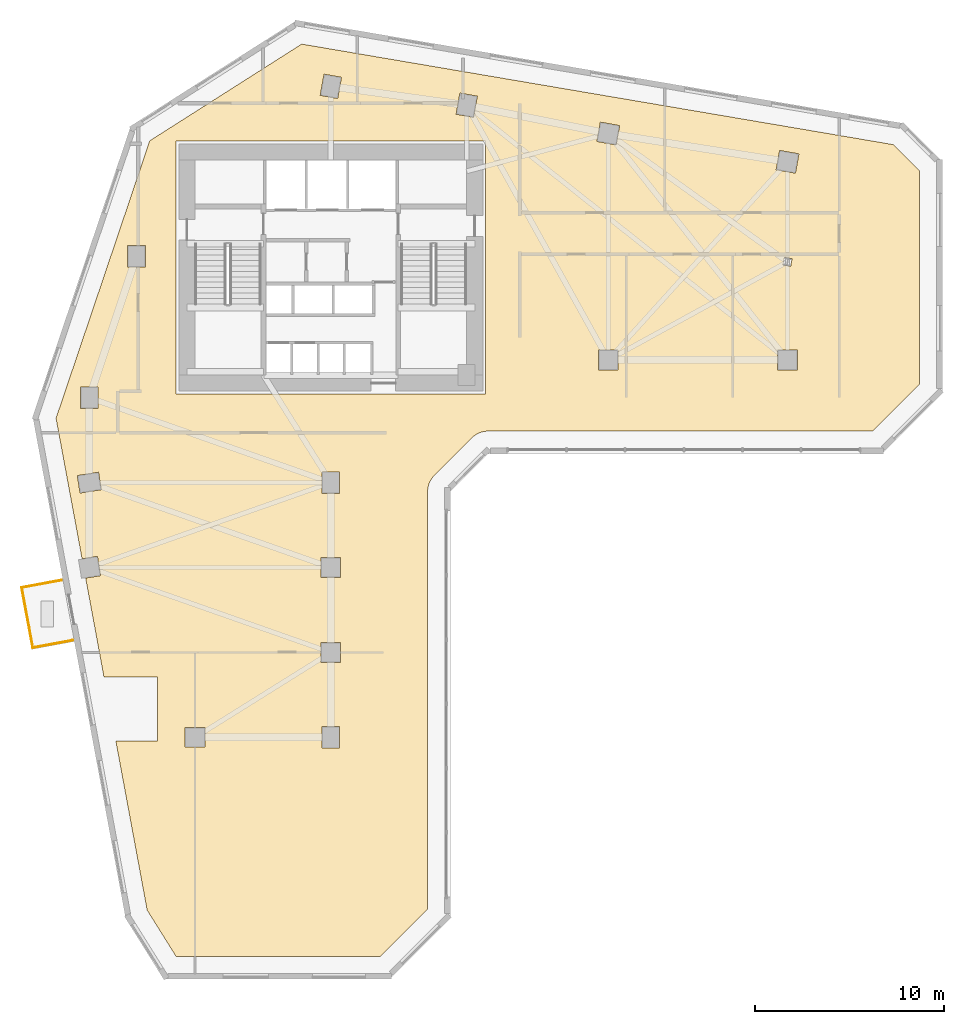
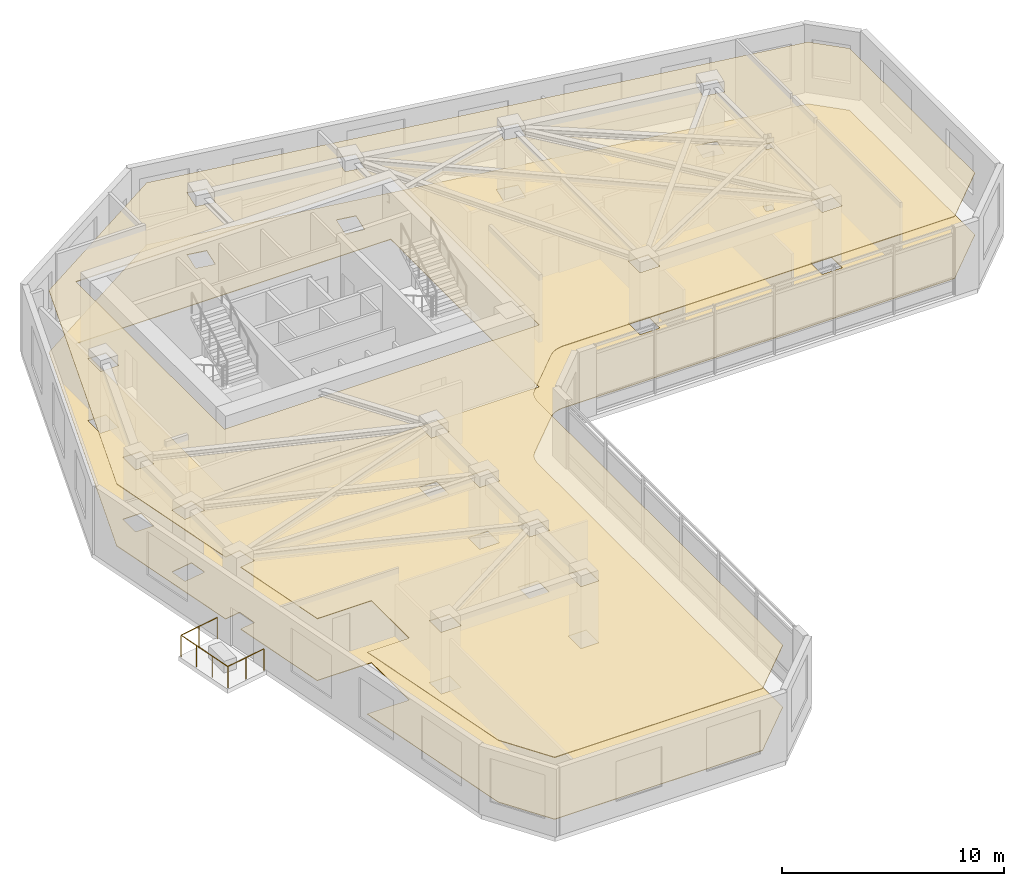
# One storey, part 8 of 9: 3 railings, 2 coverings.
"""IFC4 building model written with IfcOpenShell, lengths in metres."""

from ifc_helpers import new_model, si_unit, direction, frame, origin, origin_2d, place, context, subcontext, project, spatial, polyline, circle, outline, extrude, material, layer, layer_set, type_object, element, save


model = new_model("IFC4")

# Units and contexts
model_context = context("Model", 3, precision=1e-05, world=origin(), true_north=direction((0.0, 1.0)))
body_context = subcontext(model_context, "Body", "Model", "MODEL_VIEW")
ifc_project = project(units=[si_unit("LENGTHUNIT", "METRE"), si_unit("AREAUNIT", "SQUARE_METRE"), si_unit("VOLUMEUNIT", "CUBIC_METRE"), si_unit("PLANEANGLEUNIT", "RADIAN"), si_unit("MASSUNIT", "GRAM", prefix="KILO")], contexts=[model_context])

# Site, building, storey
site_placement = place(None, origin())
site = spatial("IfcSite", under=ifc_project, at=site_placement, CompositionType="ELEMENT")
building_placement = place(site_placement, origin())
building = spatial("IfcBuilding", under=site, at=building_placement, Name="Calvemar Wedge Station Tower", CompositionType="ELEMENT")
storey_placement = place(building_placement, frame((0.0, 0.0, 71.0)))
storey = spatial("IfcBuildingStorey", under=building, at=storey_placement, Name="L17", CompositionType="ELEMENT", Elevation=71.0)

# Coverings
ifc_material_1 = material(Name="Acoustic mineral fibre ceiling board")
ifc_layer_1 = layer(ifc_material_1, 0.0400390625)
ifc_layer_set_1 = layer_set([ifc_layer_1], Name="Acoustic mineral fibre ceiling board")
covering_type_1 = type_object("IfcCoveringType", Name="COV-CEIL-ACOUSTIC", PredefinedType="CEILING", material=ifc_layer_set_1)
covering_1_placement = place(storey_placement, frame((0.0, 0.0, 3.39990234375)))
element("IfcCovering", 1, at=covering_1_placement, inside=storey, type_object=covering_type_1, Name="Storey L17 Acoustic Suspended Ceiling", PredefinedType="CEILING", context=body_context, shape_type="SweptSolid", body=[
    extrude(outline(polyline([(29.279541015625, 28.87646484375), (31.279541015625, 30.87646484375), (31.36669921875, 30.95556640625), (31.461181640625, 31.02587890625), (31.562255859375, 31.086181640625), (31.668701171875, 31.13671875), (31.77978515625, 31.17626953125), (31.893798828125, 31.204833984375), (32.010498046875, 31.22216796875), (32.1279296875, 31.22802734375), (52.5029296875, 31.22802734375), (55.0, 33.72509765625), (55.0, 45.031005859375), (53.621826171875, 46.408935546875), (22.25439453125, 51.739501953125), (14.201416015625, 46.614990234375), (9.23681640625, 31.911865234375), (10.6162109375, 24.465087890625), (11.43115234375, 24.595703125), (11.595703125, 23.56884765625), (10.805908203125, 23.4423828125), (11.777099609375, 18.199951171875), (14.60009765625, 18.199951171875), (14.60009765625, 14.800048828125), (12.406982421875, 14.800048828125), (14.06640625, 5.8427734375), (15.593017578125, 3.39990234375), (26.430908203125, 3.39990234375), (28.927978515625, 5.897216796875), (28.927978515625, 28.028076171875), (28.933837890625, 28.1455078125), (28.951171875, 28.26220703125), (28.979736328125, 28.376220703125), (29.019287109375, 28.4873046875), (29.069580078125, 28.59375), (29.130126953125, 28.694580078125), (29.200439453125, 28.789306640625), (29.279541015625, 28.87646484375)]), holes=[polyline([(15.60009765625, 46.60009765625), (32.0, 46.60009765625), (32.0, 33.199951171875), (15.60009765625, 33.199951171875), (15.60009765625, 46.60009765625)]), polyline([(10.530029296875, 32.429931640625), (10.530029296875, 33.570068359375), (11.469970703125, 33.570068359375), (11.469970703125, 32.429931640625), (10.530029296875, 32.429931640625)]), polyline([(13.030029296875, 41.070068359375), (13.969970703125, 41.070068359375), (13.969970703125, 39.929931640625), (13.030029296875, 39.929931640625), (13.030029296875, 41.070068359375)]), polyline([(24.363525390625, 49.977783203125), (24.16162109375, 48.855712890625), (23.236572265625, 49.022216796875), (23.4384765625, 50.144287109375), (24.363525390625, 49.977783203125)]), polyline([(31.361572265625, 47.855712890625), (30.4365234375, 48.022216796875), (30.638427734375, 49.144287109375), (31.5634765625, 48.977783203125), (31.361572265625, 47.855712890625)]), polyline([(37.89599609375, 46.580322265625), (38.080322265625, 47.60400390625), (39.10400390625, 47.419677734375), (38.919677734375, 46.39599609375), (37.89599609375, 46.580322265625)]), polyline([(47.580322265625, 46.10400390625), (48.60400390625, 45.919677734375), (48.419677734375, 44.89599609375), (47.39599609375, 45.080322265625), (47.580322265625, 46.10400390625)]), polyline([(39.02001953125, 35.52001953125), (39.02001953125, 34.47998046875), (37.97998046875, 34.47998046875), (37.97998046875, 35.52001953125), (39.02001953125, 35.52001953125)]), polyline([(48.52001953125, 34.47998046875), (47.47998046875, 34.47998046875), (47.47998046875, 35.52001953125), (48.52001953125, 35.52001953125), (48.52001953125, 34.47998046875)]), polyline([(47.759765625, 40.033935546875), (47.832763671875, 40.439453125), (48.240234375, 40.3662109375), (48.167236328125, 39.960693359375), (47.759765625, 40.033935546875)]), polyline([(11.488525390625, 29.05419921875), (11.63720703125, 28.126220703125), (10.511474609375, 27.94580078125), (10.36279296875, 28.873779296875), (11.488525390625, 29.05419921875)]), polyline([(24.27001953125, 27.929931640625), (23.330078125, 27.929931640625), (23.330078125, 29.070068359375), (24.27001953125, 29.070068359375), (24.27001953125, 27.929931640625)]), polyline([(23.280029296875, 23.47998046875), (23.280029296875, 24.52001953125), (24.320068359375, 24.52001953125), (24.320068359375, 23.47998046875), (23.280029296875, 23.47998046875)]), polyline([(23.280029296875, 20.02001953125), (24.320068359375, 20.02001953125), (24.320068359375, 18.97998046875), (23.280029296875, 18.97998046875), (23.280029296875, 20.02001953125)]), polyline([(24.27001953125, 15.570068359375), (24.27001953125, 14.429931640625), (23.330078125, 14.429931640625), (23.330078125, 15.570068359375), (24.27001953125, 15.570068359375)]), polyline([(17.1201171875, 14.47998046875), (16.080078125, 14.47998046875), (16.080078125, 15.52001953125), (17.1201171875, 15.52001953125), (17.1201171875, 14.47998046875)])]), origin(), (0.0, 0.0, 1.0), 0.0400390625),
])
ifc_material_2 = material(Name="Commercial raised access floor")
ifc_layer_2 = layer(ifc_material_2, 0.030029296875)
ifc_layer_set_2 = layer_set([ifc_layer_2], Name="Commercial raised access floor")
covering_type_2 = type_object("IfcCoveringType", Name="COV-FLR-RAISED", PredefinedType="FLOORING", material=ifc_layer_set_2)
covering_2_placement = place(storey_placement, origin())
element("IfcCovering", 2, at=covering_2_placement, inside=storey, type_object=covering_type_2, Name="Storey L17 Architectural Floor Finish", PredefinedType="FLOORING", context=body_context, shape_type="SweptSolid", body=[
    extrude(outline(polyline([(29.279541015625, 28.87646484375), (31.279541015625, 30.87646484375), (31.36669921875, 30.95556640625), (31.461181640625, 31.02587890625), (31.562255859375, 31.086181640625), (31.668701171875, 31.13671875), (31.77978515625, 31.17626953125), (31.893798828125, 31.204833984375), (32.010498046875, 31.22216796875), (32.1279296875, 31.22802734375), (52.5029296875, 31.22802734375), (55.0, 33.72509765625), (55.0, 45.031005859375), (53.621826171875, 46.408935546875), (22.25439453125, 51.739501953125), (14.201416015625, 46.614990234375), (9.23681640625, 31.911865234375), (10.6162109375, 24.465087890625), (11.43115234375, 24.595703125), (11.595703125, 23.56884765625), (10.805908203125, 23.4423828125), (11.777099609375, 18.199951171875), (14.60009765625, 18.199951171875), (14.60009765625, 14.800048828125), (12.406982421875, 14.800048828125), (14.06640625, 5.8427734375), (15.593017578125, 3.39990234375), (26.430908203125, 3.39990234375), (28.927978515625, 5.897216796875), (28.927978515625, 28.028076171875), (28.933837890625, 28.1455078125), (28.951171875, 28.26220703125), (28.979736328125, 28.376220703125), (29.019287109375, 28.4873046875), (29.069580078125, 28.59375), (29.130126953125, 28.694580078125), (29.200439453125, 28.789306640625), (29.279541015625, 28.87646484375)]), holes=[polyline([(15.60009765625, 46.60009765625), (32.0, 46.60009765625), (32.0, 33.199951171875), (15.60009765625, 33.199951171875), (15.60009765625, 46.60009765625)]), polyline([(10.530029296875, 32.429931640625), (10.530029296875, 33.570068359375), (11.469970703125, 33.570068359375), (11.469970703125, 32.429931640625), (10.530029296875, 32.429931640625)]), polyline([(13.030029296875, 41.070068359375), (13.969970703125, 41.070068359375), (13.969970703125, 39.929931640625), (13.030029296875, 39.929931640625), (13.030029296875, 41.070068359375)]), polyline([(24.363525390625, 49.977783203125), (24.16162109375, 48.855712890625), (23.236572265625, 49.022216796875), (23.4384765625, 50.144287109375), (24.363525390625, 49.977783203125)]), polyline([(31.361572265625, 47.855712890625), (30.4365234375, 48.022216796875), (30.638427734375, 49.144287109375), (31.5634765625, 48.977783203125), (31.361572265625, 47.855712890625)]), polyline([(37.89599609375, 46.580322265625), (38.080322265625, 47.60400390625), (39.10400390625, 47.419677734375), (38.919677734375, 46.39599609375), (37.89599609375, 46.580322265625)]), polyline([(47.580322265625, 46.10400390625), (48.60400390625, 45.919677734375), (48.419677734375, 44.89599609375), (47.39599609375, 45.080322265625), (47.580322265625, 46.10400390625)]), polyline([(39.02001953125, 35.52001953125), (39.02001953125, 34.47998046875), (37.97998046875, 34.47998046875), (37.97998046875, 35.52001953125), (39.02001953125, 35.52001953125)]), polyline([(48.52001953125, 34.47998046875), (47.47998046875, 34.47998046875), (47.47998046875, 35.52001953125), (48.52001953125, 35.52001953125), (48.52001953125, 34.47998046875)]), polyline([(47.759765625, 40.033935546875), (47.832763671875, 40.439453125), (48.240234375, 40.3662109375), (48.167236328125, 39.960693359375), (47.759765625, 40.033935546875)]), polyline([(11.488525390625, 29.05419921875), (11.63720703125, 28.126220703125), (10.511474609375, 27.94580078125), (10.36279296875, 28.873779296875), (11.488525390625, 29.05419921875)]), polyline([(24.27001953125, 27.929931640625), (23.330078125, 27.929931640625), (23.330078125, 29.070068359375), (24.27001953125, 29.070068359375), (24.27001953125, 27.929931640625)]), polyline([(23.280029296875, 23.47998046875), (23.280029296875, 24.52001953125), (24.320068359375, 24.52001953125), (24.320068359375, 23.47998046875), (23.280029296875, 23.47998046875)]), polyline([(23.280029296875, 20.02001953125), (24.320068359375, 20.02001953125), (24.320068359375, 18.97998046875), (23.280029296875, 18.97998046875), (23.280029296875, 20.02001953125)]), polyline([(24.27001953125, 15.570068359375), (24.27001953125, 14.429931640625), (23.330078125, 14.429931640625), (23.330078125, 15.570068359375), (24.27001953125, 15.570068359375)]), polyline([(17.1201171875, 14.47998046875), (16.080078125, 14.47998046875), (16.080078125, 15.52001953125), (17.1201171875, 15.52001953125), (17.1201171875, 14.47998046875)])]), origin(), (0.0, 0.0, 1.0), 0.030029296875),
])

# Railings
ifc_material_3 = material(Name="Stainless steel AISI 316L", Category="steel")
railing_type = type_object("IfcRailingType", Name="GRD-TERR-1200", PredefinedType="GUARDRAIL", material=ifc_material_3)
railing_1_placement = place(storey_placement, frame((10.11572265625, 20.14208984375, 0.0)))
element("IfcRailing", 3, at=railing_1_placement, inside=storey, type_object=railing_type, Name="Storey L17 Spiral Terrace Guard 2", PredefinedType="GUARDRAIL", context=body_context, shape_type="SweptSolid", body=[
    extrude(circle(Radius=0.02392578125, at=origin_2d()), frame((0.0, 0.0, 1.17578125), z_axis=(-0.983271414626, -0.182146438831, 0.0), x_axis=(0.182146438831, -0.983271414626, 0.0)), (0.0, 0.0, 1.0), 2.140625),
    extrude(circle(Radius=0.02099609375, at=origin_2d()), origin(), (0.0, 0.0, 1.0), 1.15185546875),
    extrude(circle(Radius=0.02099609375, at=origin_2d()), frame((-1.05224609375, -0.19482421875, 0.0)), (0.0, 0.0, 1.0), 1.15185546875),
    extrude(circle(Radius=0.02099609375, at=origin_2d()), frame((-2.104736328125, -0.389892578125, 0.0)), (0.0, 0.0, 1.0), 1.15185546875),
])
railing_2_placement = place(storey_placement, frame((8.010986328125, 19.752197265625, 0.0)))
element("IfcRailing", 4, at=railing_2_placement, inside=storey, type_object=railing_type, Name="Storey L17 Spiral Terrace Guard 3", PredefinedType="GUARDRAIL", context=body_context, shape_type="SweptSolid", body=[
    extrude(circle(Radius=0.02392578125, at=origin_2d()), frame((0.0, 0.0, 1.17578125), z_axis=(-0.182291560519, 0.983244520434, 0.0), x_axis=(-0.983244520434, -0.182291560519, 0.0)), (0.0, 0.0, 1.0), 3.240966796875),
    extrude(circle(Radius=0.02099609375, at=origin_2d()), origin(), (0.0, 0.0, 1.0), 1.15185546875),
    extrude(circle(Radius=0.02099609375, at=origin_2d()), frame((-0.197021484375, 1.062255859375, 0.0)), (0.0, 0.0, 1.0), 1.15185546875),
    extrude(circle(Radius=0.02099609375, at=origin_2d()), frame((-0.393798828125, 2.12451171875, 0.0)), (0.0, 0.0, 1.0), 1.15185546875),
    extrude(circle(Radius=0.02099609375, at=origin_2d()), frame((-0.5908203125, 3.186767578125, 0.0)), (0.0, 0.0, 1.0), 1.15185546875),
])
railing_3_placement = place(storey_placement, frame((7.420166015625, 22.93896484375, 0.0)))
element("IfcRailing", 5, at=railing_3_placement, inside=storey, type_object=railing_type, Name="Storey L17 Spiral Terrace Guard 4", PredefinedType="GUARDRAIL", context=body_context, shape_type="SweptSolid", body=[
    extrude(circle(Radius=0.02392578125, at=origin_2d()), frame((0.0, 0.0, 1.17578125), z_axis=(0.983271414626, 0.182146438831, 0.0), x_axis=(-0.182146438831, 0.983271414626, 0.0)), (0.0, 0.0, 1.0), 2.140625),
    extrude(circle(Radius=0.02099609375, at=origin_2d()), origin(), (0.0, 0.0, 1.0), 1.15185546875),
    extrude(circle(Radius=0.02099609375, at=origin_2d()), frame((1.05224609375, 0.19482421875, 0.0)), (0.0, 0.0, 1.0), 1.15185546875),
    extrude(circle(Radius=0.02099609375, at=origin_2d()), frame((2.104736328125, 0.389892578125, 0.0)), (0.0, 0.0, 1.0), 1.15185546875),
])

save(model, "model.ifc")
